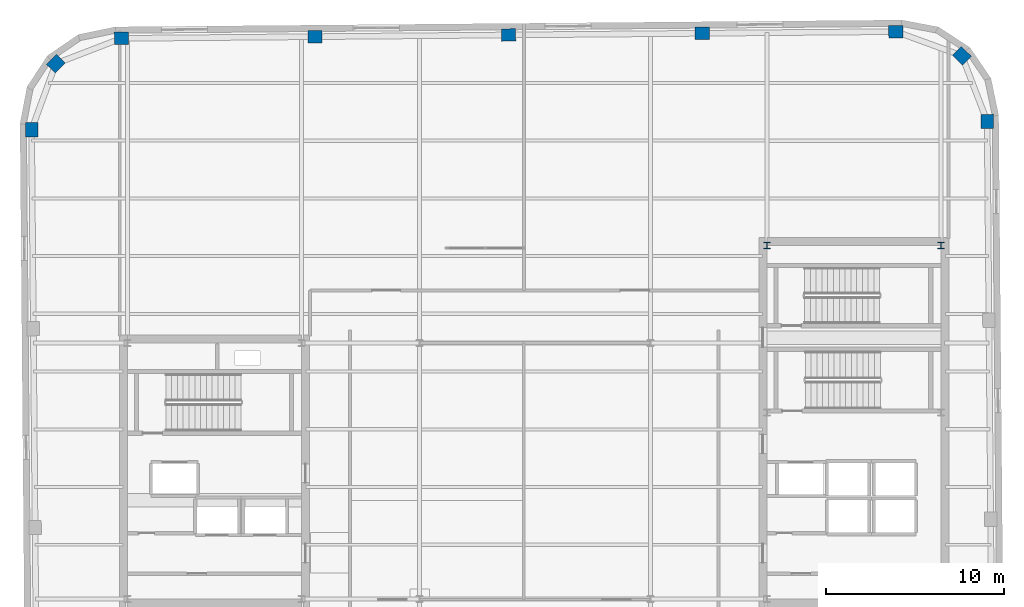
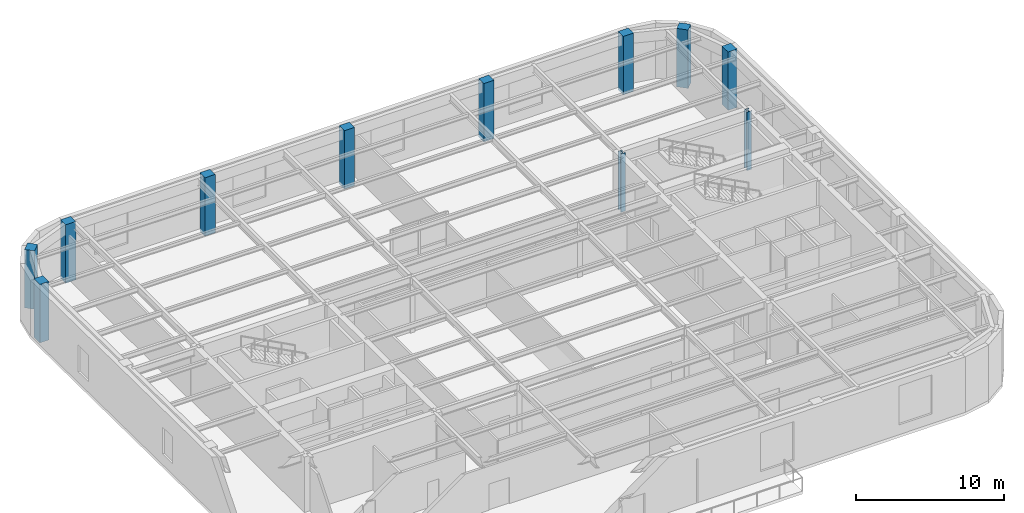
# One storey, part 3 of 13: 11 columns.
"""IFC4 building model written with IfcOpenShell, lengths in metres."""

from ifc_helpers import new_model, si_unit, direction, frame, origin, origin_2d, place, context, subcontext, project, spatial, rectangle, i_section, extrude, material, material_profile, profile_set, type_object, element, save


model = new_model("IFC4")

# Units and contexts
model_context = context("Model", 3, precision=1e-05, world=origin(), true_north=direction((0.0, 1.0)))
body_context = subcontext(model_context, "Body", "Model", "MODEL_VIEW")
ifc_project = project(units=[si_unit("LENGTHUNIT", "METRE"), si_unit("AREAUNIT", "SQUARE_METRE"), si_unit("VOLUMEUNIT", "CUBIC_METRE"), si_unit("PLANEANGLEUNIT", "RADIAN"), si_unit("MASSUNIT", "GRAM", prefix="KILO")], contexts=[model_context])

# Site, building, storey
site_placement = place(None, origin())
site = spatial("IfcSite", under=ifc_project, at=site_placement, CompositionType="ELEMENT")
building_placement = place(site_placement, origin())
building = spatial("IfcBuilding", under=site, at=building_placement, Name="Kolvaren Arena Tower", CompositionType="ELEMENT")
storey_placement = place(building_placement, frame((0.0, 0.0, 312.39990234375)))
storey = spatial("IfcBuildingStorey", under=building, at=storey_placement, Name="L77", CompositionType="ELEMENT", Elevation=312.39990234375)

# Columns
ifc_material_1 = material(Name="Precast concrete C50/60", Category="concrete")
ifc_material_profile_1 = material_profile(ifc_material_1, rectangle(XDim=0.800048828125, YDim=0.699951171875, at=origin_2d()), Name="RC-800x700")
ifc_profile_set_1 = profile_set([ifc_material_profile_1], Name="Precast concrete C50/60")
column_type_1 = type_object("IfcColumnType", Name="EXCOL-Z5", PredefinedType="COLUMN", material=ifc_profile_set_1)
for number, where, z_axis, x_axis, name in (
    (1, (62.952392578125, 46.333984375, -0.239990234375), (0.0, 0.0, 1.0), (-0.008726535498, 0.999961923064, 0.0), "Exoskeleton Perimeter Column 10 (L77)"),
    (2, (61.52880859375, 50.030517578125, -0.239990234375), (0.0, 0.0, 1.0), (-0.713250449154, 0.7009092643, 0.0), "Exoskeleton Perimeter Column 11 (L77)"),
    (3, (57.80810546875, 51.389404296875, -0.239990234375), (0.0, 0.0, 1.0), (0.999961923064, 0.008726535498, 0.0), "Exoskeleton Perimeter Column 12 (L77)"),
    (4, (46.908447265625, 51.294189453125, -0.239990234375), (0.0, 0.0, 1.0), (0.999961923064, 0.008726535498, 0.0), "Exoskeleton Perimeter Column 13 (L77)"),
    (5, (36.0087890625, 51.19921875, -0.239990234375), (0.0, 0.0, 1.0), (0.999961923064, 0.008726535498, 0.0), "Exoskeleton Perimeter Column 14 (L77)"),
    (6, (25.109375, 51.10400390625, -0.239990234375), (0.0, 0.0, 1.0), (0.999961923064, 0.008726535498, 0.0), "Exoskeleton Perimeter Column 15 (L77)"),
    (7, (14.209716796875, 51.0087890625, -0.239990234375), (0.0, 0.0, 1.0), (0.999961923064, 0.008726535498, 0.0), "Exoskeleton Perimeter Column 16 (L77)"),
    (8, (10.51318359375, 49.58544921875, -0.239990234375), (0.0, 0.0, 1.0), (0.7009092643, 0.713250449154, 0.0), "Exoskeleton Perimeter Column 17 (L77)"),
    (9, (9.154296875, 45.864501953125, -0.239990234375), (0.0, 0.0, 1.0), (-0.008726535498, 0.999961923064, 0.0), "Exoskeleton Perimeter Column 18 (L77)"),
):
    element("IfcColumn", number, at=place(storey_placement, frame(where, z_axis=z_axis, x_axis=x_axis)), inside=storey, type_object=column_type_1, Name=name, PredefinedType="COLUMN", context=body_context, shape_type="SweptSolid", body=[
        extrude(rectangle(XDim=0.800048828125, YDim=0.699951171875, at=origin_2d()), origin(), (0.0, 0.0, 1.0), 4.800048828125),
    ])
ifc_material_2 = material(Name="Steel ASTM A913 Grade 65", Category="steel")
ifc_material_profile_2 = material_profile(ifc_material_2, i_section(OverallWidth=0.3740234375, OverallDepth=0.3720703125, WebThickness=0.016357421875, FlangeThickness=0.026123046875, FilletRadius=0.02001953125, at=origin_2d()), Name="W360x196")
ifc_profile_set_2 = profile_set([ifc_material_profile_2], Name="Steel ASTM A913 Grade 65")
column_type_2 = type_object("IfcColumnType", Name="SCOL-Z5", PredefinedType="COLUMN", material=ifc_profile_set_2)
for number, where, z_axis, x_axis, name in (
    (10, (50.550048828125, 39.35009765625, -0.239990234375), (0.0, 0.0, 1.0), (1.0, 0.0, 0.0), "Core Boundary Column EC-NW (L77)"),
    (11, (60.35009765625, 39.35009765625, -0.239990234375), (0.0, 0.0, 1.0), (1.0, 0.0, 0.0), "Core Boundary Column EC-NE (L77)"),
):
    element("IfcColumn", number, at=place(storey_placement, frame(where, z_axis=z_axis, x_axis=x_axis)), inside=storey, type_object=column_type_2, Name=name, PredefinedType="COLUMN", context=body_context, shape_type="SweptSolid", body=[
        extrude(i_section(OverallWidth=0.3740234375, OverallDepth=0.3720703125, WebThickness=0.016357421875, FlangeThickness=0.026123046875, FilletRadius=0.02001953125, at=origin_2d()), origin(), (0.0, 0.0, 1.0), 4.800048828125),
    ])

save(model, "model.ifc")
